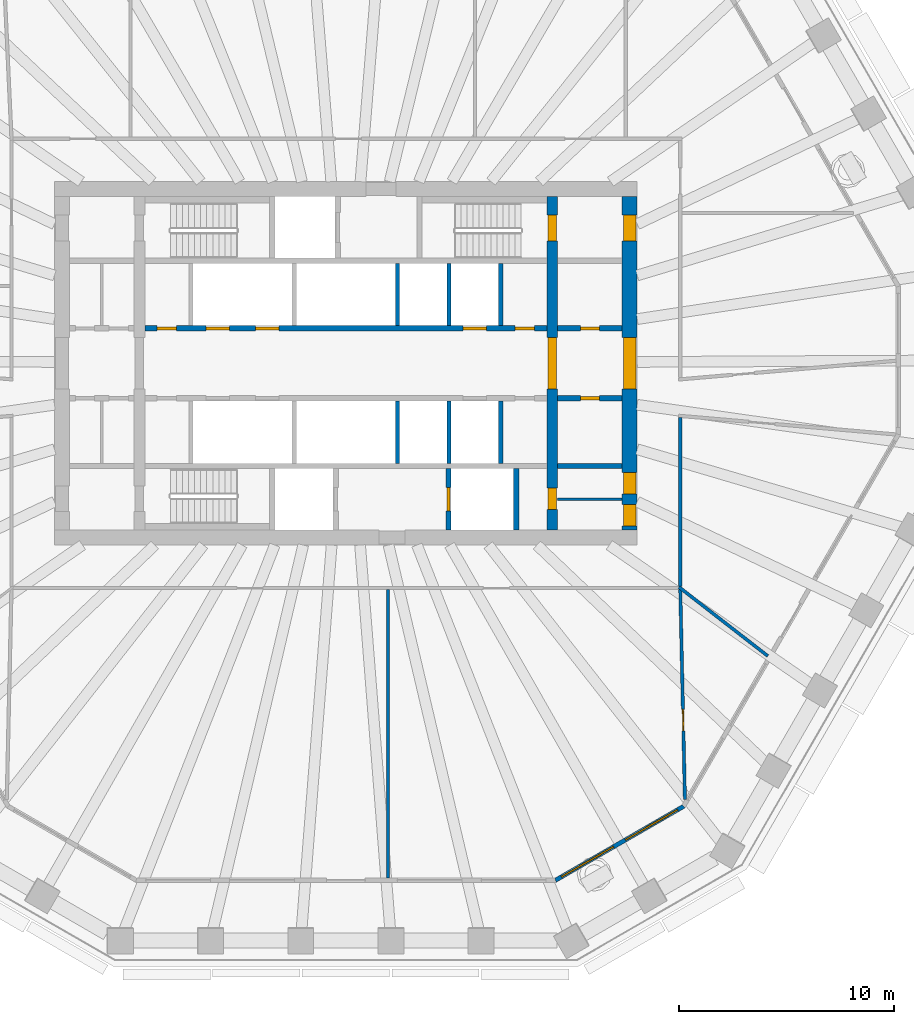
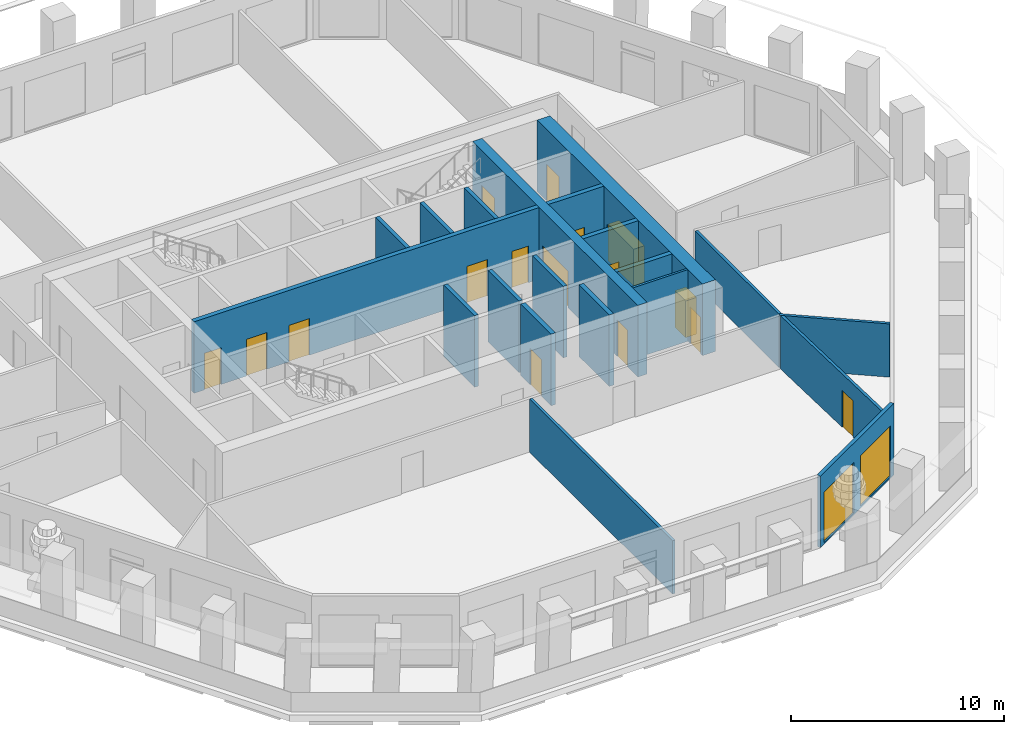
# One storey, part 5 of 12: 20 walls, 16 doors, 2 windows, 18 openings.
"""IFC4 building model written with IfcOpenShell, lengths in metres."""

from ifc_helpers import new_model, si_unit, direction, frame, frame_2d, origin, place, context, subcontext, project, spatial, polyline, rectangle, outline, extrude, material, layer, layer_set, type_object, element, fill, save


model = new_model("IFC4")

# Units and contexts
model_context = context("Model", 3, precision=1e-05, world=origin(), true_north=direction((0.0, 1.0)))
body_context = subcontext(model_context, "Body", "Model", "MODEL_VIEW")
ifc_project = project(units=[si_unit("LENGTHUNIT", "METRE"), si_unit("AREAUNIT", "SQUARE_METRE"), si_unit("VOLUMEUNIT", "CUBIC_METRE"), si_unit("PLANEANGLEUNIT", "RADIAN"), si_unit("MASSUNIT", "GRAM", prefix="KILO")], contexts=[model_context])

# Site, building, storey
site_placement = place(None, origin())
site = spatial("IfcSite", under=ifc_project, at=site_placement, CompositionType="ELEMENT")
building_placement = place(site_placement, origin())
building = spatial("IfcBuilding", under=site, at=building_placement, Name="Frailejon Research Tower", CompositionType="ELEMENT")
storey_placement = place(building_placement, frame((0.0, 0.0, 149.60009765625)))
storey = spatial("IfcBuildingStorey", under=building, at=storey_placement, Name="L32", CompositionType="ELEMENT", Elevation=149.60009765625)

# Wall
ifc_material_1 = material(Name="Plasterboard on steel studs", Category="steel")
ifc_layer_1 = layer(ifc_material_1, 0.125)
ifc_layer_set_1 = layer_set([ifc_layer_1], Name="Core partition 125")
wall_type_1 = type_object("IfcWallType", Name="Core partition 125", PredefinedType="PARTITIONING", material=ifc_layer_set_1)
wall_1_placement = place(storey_placement, frame((9.85009765625, -6.324951171875, 0.0), z_axis=(0.0, 0.0, 1.0), x_axis=(1.0, 0.0, 0.0)))
element("IfcWall", 1, at=wall_1_placement, inside=storey, type_object=wall_type_1, Name="Core partition", PredefinedType="PARTITIONING", context=body_context, shape_type="SweptSolid", body=[
    extrude(rectangle(XDim=3.0, YDim=0.125, at=frame_2d((1.5, 0.0))), origin(), (0.0, 0.0, 1.0), 4.099853515625),
])

# Wall, openings, doors
ifc_material_2 = material(Name="Concrete C60/75", Category="concrete")
ifc_layer_2 = layer(ifc_material_2, 0.5)
ifc_layer_set_2 = layer_set([ifc_layer_2], Name="Core shear wall 500 C60/75")
wall_type_2 = type_object("IfcWallType", Name="Core shear wall 500 C60/75", PredefinedType="SHEAR", material=ifc_layer_set_2)
wall_2_placement = place(storey_placement, frame((9.60009765625, -7.75, 0.0), z_axis=(0.0, 0.0, 1.0), x_axis=(0.0, 1.0, 0.0)))
wall_2 = element("IfcWall", 2, at=wall_2_placement, inside=storey, type_object=wall_type_2, Name="Core shear wall", PredefinedType="SHEAR", context=body_context, shape_type="SweptSolid", body=[
    extrude(rectangle(XDim=15.5, YDim=0.5, at=frame_2d((7.75, 0.0))), origin(), (0.0, 0.0, 1.0), 4.099853515625),
])
opening_1_placement = place(wall_2_placement, frame((6.550048828125, 0.0, 0.0)))
opening_1 = element("IfcOpeningElement", 3, at=opening_1_placement, cuts=wall_2, Name="Opening D2", PredefinedType="OPENING", context=body_context, shape_type="SweptSolid", body=[
    extrude(rectangle(XDim=2.39990234375, YDim=2.10009765625, at=frame_2d((1.199951171875, 1.050048828125))), frame((0.0, 0.260009765625, 0.0), z_axis=(0.0, -1.0, 0.0), x_axis=(1.0, 0.0, 0.0)), (0.0, 0.0, 1.0), 0.52001953125),
])
opening_2_placement = place(wall_2_placement, frame((13.449951171875, 0.0, 0.0)))
opening_2 = element("IfcOpeningElement", 4, at=opening_2_placement, cuts=wall_2, Name="Opening D1", PredefinedType="OPENING", context=body_context, shape_type="SweptSolid", body=[
    extrude(rectangle(XDim=1.199951171875, YDim=2.10009765625, at=frame_2d((0.60009765625, 1.050048828125))), frame((0.0, 0.260009765625, 0.0), z_axis=(0.0, -1.0, 0.0), x_axis=(1.0, 0.0, 0.0)), (0.0, 0.0, 1.0), 0.52001953125),
])
opening_3_placement = place(wall_2_placement, frame((0.949951171875, 0.0, 0.0)))
opening_3 = element("IfcOpeningElement", 5, at=opening_3_placement, cuts=wall_2, Name="Opening D4", PredefinedType="OPENING", context=body_context, shape_type="SweptSolid", body=[
    extrude(rectangle(XDim=1.0, YDim=2.10009765625, at=frame_2d((0.5, 1.050048828125))), frame((0.0, 0.260009765625, 0.0), z_axis=(0.0, -1.0, 0.0), x_axis=(1.0, 0.0, 0.0)), (0.0, 0.0, 1.0), 0.52001953125),
])
ifc_material_3 = material(Name="Steel", Category="steel")
door_type_1 = type_object("IfcDoorType", Name="Lobby double door", OperationType="DOUBLE_DOOR_SINGLE_SWING", PredefinedType="DOOR", material=ifc_material_3)
door_1_placement = place(opening_1_placement, origin())
door_1 = element("IfcDoor", 6, at=door_1_placement, inside=storey, type_object=door_type_1, Name="Lobby door", OperationType="DOUBLE_DOOR_SINGLE_SWING", OverallHeight=2.10009765625, OverallWidth=2.39990234375, PredefinedType="DOOR", context=body_context, shape_type="SweptSolid", body=[
    extrude(rectangle(XDim=2.39990234375, YDim=2.10009765625, at=frame_2d((1.199951171875, 1.050048828125))), frame((0.0, 0.199951171875, 0.0), z_axis=(0.0, -1.0, 0.0), x_axis=(1.0, 0.0, 0.0)), (0.0, 0.0, 1.0), 0.39990234375),
])
fill(opening_1, door_1)
ifc_material_4 = material(Name="Steel", Category="steel")
door_type_2 = type_object("IfcDoorType", Name="Service door", OperationType="SINGLE_SWING_LEFT", PredefinedType="DOOR", material=ifc_material_4)
door_2_placement = place(opening_3_placement, origin())
door_2 = element("IfcDoor", 7, at=door_2_placement, inside=storey, type_object=door_type_2, Name="Riser door", OperationType="SINGLE_SWING_LEFT", OverallHeight=2.10009765625, OverallWidth=1.0, PredefinedType="DOOR", context=body_context, shape_type="SweptSolid", body=[
    extrude(rectangle(XDim=1.0, YDim=2.10009765625, at=frame_2d((0.5, 1.050048828125))), frame((0.0, 0.199951171875, 0.0), z_axis=(0.0, -1.0, 0.0), x_axis=(1.0, 0.0, 0.0)), (0.0, 0.0, 1.0), 0.39990234375),
])
fill(opening_3, door_2)
ifc_material_5 = material(Name="Steel", Category="steel")
door_type_3 = type_object("IfcDoorType", Name="Stair door", OperationType="SINGLE_SWING_LEFT", PredefinedType="DOOR", material=ifc_material_5)
door_3_placement = place(opening_2_placement, origin())
door_3 = element("IfcDoor", 8, at=door_3_placement, inside=storey, type_object=door_type_3, Name="Stair door ST3", OperationType="SINGLE_SWING_LEFT", OverallHeight=2.10009765625, OverallWidth=1.199951171875, PredefinedType="DOOR", context=body_context, shape_type="SweptSolid", body=[
    extrude(rectangle(XDim=1.199951171875, YDim=2.10009765625, at=frame_2d((0.60009765625, 1.050048828125))), frame((0.0, 0.199951171875, 0.0), z_axis=(0.0, -1.0, 0.0), x_axis=(1.0, 0.0, 0.0)), (0.0, 0.0, 1.0), 0.39990234375),
])
fill(opening_2, door_3)

ifc_material_6 = material(Name="Concrete C60/75", Category="concrete")
ifc_layer_3 = layer(ifc_material_6, 0.699951171875)
ifc_layer_set_3 = layer_set([ifc_layer_3], Name="Core shear wall 700 C60/75")
wall_type_3 = type_object("IfcWallType", Name="Core shear wall 700 C60/75", PredefinedType="SHEAR", material=ifc_layer_set_3)
wall_3_placement = place(storey_placement, frame((13.199951171875, -7.75, 0.0), z_axis=(0.0, 0.0, 1.0), x_axis=(0.0, 1.0, 0.0)))
wall_3 = element("IfcWall", 9, at=wall_3_placement, inside=storey, type_object=wall_type_3, Name="Core shear wall", PredefinedType="SHEAR", context=body_context, shape_type="SweptSolid", body=[
    extrude(rectangle(XDim=15.5, YDim=0.699951171875, at=frame_2d((7.75, 0.0))), origin(), (0.0, 0.0, 1.0), 4.099853515625),
])
opening_4_placement = place(wall_3_placement, frame((6.550048828125, 0.0, 0.0)))
opening_4 = element("IfcOpeningElement", 10, at=opening_4_placement, cuts=wall_3, Name="Opening D2", PredefinedType="OPENING", context=body_context, shape_type="SweptSolid", body=[
    extrude(rectangle(XDim=2.39990234375, YDim=2.10009765625, at=frame_2d((1.199951171875, 1.050048828125))), frame((0.0, 0.35986328125, 0.0), z_axis=(0.0, -1.0, 0.0), x_axis=(1.0, 0.0, 0.0)), (0.0, 0.0, 1.0), 0.719970703125),
])
opening_5_placement = place(wall_3_placement, frame((13.449951171875, 0.0, 0.0)))
opening_5 = element("IfcOpeningElement", 11, at=opening_5_placement, cuts=wall_3, Name="Opening D7", PredefinedType="OPENING", context=body_context, shape_type="SweptSolid", body=[
    extrude(rectangle(XDim=1.199951171875, YDim=2.10009765625, at=frame_2d((0.60009765625, 1.050048828125))), frame((0.0, 0.35986328125, 0.0), z_axis=(0.0, -1.0, 0.0), x_axis=(1.0, 0.0, 0.0)), (0.0, 0.0, 1.0), 0.719970703125),
])
opening_6_placement = place(wall_3_placement, frame((0.181396484375, 0.0, 0.0)))
opening_6 = element("IfcOpeningElement", 12, at=opening_6_placement, cuts=wall_3, Name="Opening D4", PredefinedType="OPENING", context=body_context, shape_type="SweptSolid", body=[
    extrude(rectangle(XDim=1.0, YDim=2.10009765625, at=frame_2d((0.5, 1.050048828125))), frame((0.0, 0.35986328125, 0.0), z_axis=(0.0, -1.0, 0.0), x_axis=(1.0, 0.0, 0.0)), (0.0, 0.0, 1.0), 0.719970703125),
])
opening_7_placement = place(wall_3_placement, frame((1.668701171875, 0.0, 0.0)))
opening_7 = element("IfcOpeningElement", 13, at=opening_7_placement, cuts=wall_3, Name="Opening D4", PredefinedType="OPENING", context=body_context, shape_type="SweptSolid", body=[
    extrude(rectangle(XDim=1.0, YDim=2.10009765625, at=frame_2d((0.5, 1.050048828125))), frame((0.0, 0.35986328125, 0.0), z_axis=(0.0, -1.0, 0.0), x_axis=(1.0, 0.0, 0.0)), (0.0, 0.0, 1.0), 0.719970703125),
])
door_4_placement = place(opening_4_placement, origin())
door_4 = element("IfcDoor", 14, at=door_4_placement, inside=storey, type_object=door_type_1, Name="Lobby door", OperationType="DOUBLE_DOOR_SINGLE_SWING", OverallHeight=2.10009765625, OverallWidth=2.39990234375, PredefinedType="DOOR", context=body_context, shape_type="SweptSolid", body=[
    extrude(rectangle(XDim=2.39990234375, YDim=2.10009765625, at=frame_2d((1.199951171875, 1.050048828125))), frame((0.0, 0.300048828125, 0.0), z_axis=(0.0, -1.0, 0.0), x_axis=(1.0, 0.0, 0.0)), (0.0, 0.0, 1.0), 0.60009765625),
])
fill(opening_4, door_4)
door_5_placement = place(opening_6_placement, origin())
door_5 = element("IfcDoor", 15, at=door_5_placement, inside=storey, type_object=door_type_2, Name="Store door", OperationType="SINGLE_SWING_RIGHT", OverallHeight=2.10009765625, OverallWidth=1.0, PredefinedType="DOOR", context=body_context, shape_type="SweptSolid", body=[
    extrude(rectangle(XDim=1.0, YDim=2.10009765625, at=frame_2d((0.5, 1.050048828125))), frame((0.0, 0.300048828125, 0.0), z_axis=(0.0, -1.0, 0.0), x_axis=(1.0, 0.0, 0.0)), (0.0, 0.0, 1.0), 0.60009765625),
])
fill(opening_6, door_5)
door_6_placement = place(opening_7_placement, origin())
door_6 = element("IfcDoor", 16, at=door_6_placement, inside=storey, type_object=door_type_2, Name="Store door", OperationType="SINGLE_SWING_LEFT", OverallHeight=2.10009765625, OverallWidth=1.0, PredefinedType="DOOR", context=body_context, shape_type="SweptSolid", body=[
    extrude(rectangle(XDim=1.0, YDim=2.10009765625, at=frame_2d((0.5, 1.050048828125))), frame((0.0, 0.300048828125, 0.0), z_axis=(0.0, -1.0, 0.0), x_axis=(1.0, 0.0, 0.0)), (0.0, 0.0, 1.0), 0.60009765625),
])
fill(opening_7, door_6)
ifc_material_7 = material(Name="Steel", Category="steel")
door_type_4 = type_object("IfcDoorType", Name="Stair exit door", OperationType="SINGLE_SWING_LEFT", PredefinedType="DOOR", material=ifc_material_7)
door_7_placement = place(opening_5_placement, origin())
door_7 = element("IfcDoor", 17, at=door_7_placement, inside=storey, type_object=door_type_4, Name="Stair exit door ST3", OperationType="SINGLE_SWING_RIGHT", OverallHeight=2.10009765625, OverallWidth=1.199951171875, PredefinedType="DOOR", context=body_context, shape_type="SweptSolid", body=[
    extrude(rectangle(XDim=1.199951171875, YDim=2.10009765625, at=frame_2d((0.60009765625, 1.050048828125))), frame((0.0, 0.300048828125, 0.0), z_axis=(0.0, -1.0, 0.0), x_axis=(1.0, 0.0, 0.0)), (0.0, 0.0, 1.0), 0.60009765625),
])
fill(opening_5, door_7)

# Walls
ifc_material_8 = material(Name="Gypsum board and masonry partition", Category="masonry")
ifc_layer_4 = layer(ifc_material_8, 0.14990234375)
ifc_layer_set_4 = layer_set([ifc_layer_4], Name="Corridor wall EI 60, gypsum on steel studs 150")
wall_type_4 = type_object("IfcWallType", Name="Corridor wall EI 60, gypsum on steel studs 150", PredefinedType="PARTITIONING", material=ifc_layer_set_4)
wall_4_placement = place(storey_placement, frame((15.550048828125, -10.375, 0.0), z_axis=(0.0, 0.0, 1.0), x_axis=(0.0, 1.0, 0.0)))
element("IfcWall", 18, at=wall_4_placement, inside=storey, type_object=wall_type_4, Name="T:IW:L32:001", PredefinedType="PARTITIONING", context=body_context, shape_type="SweptSolid", body=[
    extrude(rectangle(XDim=7.856201171875, YDim=0.14990234375, at=frame_2d((3.92822265625, 0.0))), origin(), (0.0, 0.0, 1.0), 3.0498046875),
])
ifc_material_9 = material(Name="Gypsum board and masonry partition", Category="masonry")
ifc_layer_5 = layer(ifc_material_9, 0.14990234375)
ifc_layer_set_5 = layer_set([ifc_layer_5], Name="Laboratory partition, blockwork 150")
wall_type_5 = type_object("IfcWallType", Name="Laboratory partition, blockwork 150", PredefinedType="PARTITIONING", material=ifc_layer_set_5)
wall_5_placement = place(storey_placement, frame((1.955322265625, -23.938232421875, 0.0), z_axis=(0.0, 0.0, 1.0), x_axis=(0.0, 1.0, 0.0)))
element("IfcWall", 19, at=wall_5_placement, inside=storey, type_object=wall_type_5, Name="T:IW:L32:018", PredefinedType="PARTITIONING", context=body_context, shape_type="SweptSolid", body=[
    extrude(rectangle(XDim=13.413330078125, YDim=0.14990234375, at=frame_2d((6.70654296875, 0.0))), origin(), (0.0, 0.0, 1.0), 3.0498046875),
])

# Wall, opening, door
wall_6_placement = place(storey_placement, frame((15.5517578125, -10.52490234375, 0.0), z_axis=(0.0, 0.0, 1.0), x_axis=(0.022147888908, -0.999754705424, 0.0)))
wall_6 = element("IfcWall", 20, at=wall_6_placement, inside=storey, type_object=wall_type_5, Name="T:IW:L32:019", PredefinedType="PARTITIONING", context=body_context, shape_type="SweptSolid", body=[
    extrude(rectangle(XDim=9.7666015625, YDim=0.14990234375, at=frame_2d((4.88330078125, 0.0))), origin(), (0.0, 0.0, 1.0), 3.0498046875),
])
opening_8_placement = place(wall_6_placement, frame((5.56689453125, 0.0, 0.0)))
opening_8 = element("IfcOpeningElement", 21, at=opening_8_placement, cuts=wall_6, Name="Opening D1719", PredefinedType="OPENING", context=body_context, shape_type="SweptSolid", body=[
    extrude(rectangle(XDim=1.0, YDim=2.10009765625, at=frame_2d((0.5, 1.050048828125))), frame((0.0, 0.0849609375, 0.0), z_axis=(0.0, -1.0, 0.0), x_axis=(1.0, 0.0, 0.0)), (0.0, 0.0, 1.0), 0.169921875),
])
ifc_material_10 = material(Name="Timber door leaf", Category="wood")
door_type_5 = type_object("IfcDoorType", Name="Door laboratory, timber, vision panel 1000", OperationType="NOTDEFINED", PredefinedType="DOOR", material=ifc_material_10)
door_8_placement = place(opening_8_placement, origin())
door_8 = element("IfcDoor", 22, at=door_8_placement, inside=storey, type_object=door_type_5, Name="D1719", OperationType="SINGLE_SWING_RIGHT", OverallHeight=2.10009765625, OverallWidth=1.0, PredefinedType="DOOR", context=body_context, shape_type="SweptSolid", body=[
    extrude(rectangle(XDim=1.0, YDim=2.10009765625, at=frame_2d((0.5, 1.050048828125))), frame((0.0, 0.02490234375, 0.0), z_axis=(0.0, -1.0, 0.0), x_axis=(1.0, 0.0, 0.0)), (0.0, 0.0, 1.0), 0.050048828125),
])
fill(opening_8, door_8)

# Walls
wall_7_placement = place(storey_placement, frame((15.49072265625, -10.404052734375, 0.0), z_axis=(0.0, 0.0, 1.0), x_axis=(0.790035268908, -0.613061394871, 0.0)))
element("IfcWall", 23, at=wall_7_placement, inside=storey, type_object=wall_type_5, Name="T:IW:L32:020", PredefinedType="PARTITIONING", context=body_context, shape_type="SweptSolid", body=[
    extrude(rectangle(XDim=5.231201171875, YDim=0.14990234375, at=frame_2d((2.61572265625, 0.0))), origin(), (0.0, 0.0, 1.0), 3.0498046875),
])
ifc_material_11 = material(Name="Concrete C60/75", Category="concrete")
ifc_layer_6 = layer(ifc_material_11, 0.199951171875)
ifc_layer_set_6 = layer_set([ifc_layer_6], Name="Shaft wall 200 C60/75")
wall_type_6 = type_object("IfcWallType", Name="Shaft wall 200 C60/75", PredefinedType="SOLIDWALL", material=ifc_layer_set_6)
for number, where, z_axis, x_axis, name in (
    (24, (2.39990234375, 1.75, 0.0), (0.0, 0.0, 1.0), (0.0, 1.0, 0.0), "Shaft wall"),
    (25, (4.800048828125, 1.75, 0.0), (0.0, 0.0, 1.0), (0.0, 1.0, 0.0), "Shaft wall"),
    (26, (7.199951171875, 1.75, 0.0), (0.0, 0.0, 1.0), (0.0, 1.0, 0.0), "Shaft wall"),
    (27, (2.39990234375, -4.64990234375, 0.0), (0.0, 0.0, 1.0), (0.0, 1.0, 0.0), "Shaft wall"),
    (28, (4.800048828125, -4.64990234375, 0.0), (0.0, 0.0, 1.0), (0.0, 1.0, 0.0), "Shaft wall"),
    (29, (7.199951171875, -4.64990234375, 0.0), (0.0, 0.0, 1.0), (0.0, 1.0, 0.0), "Shaft wall"),
):
    element("IfcWall", number, at=place(storey_placement, frame(where, z_axis=z_axis, x_axis=x_axis)), inside=storey, type_object=wall_type_6, Name=name, PredefinedType="SOLIDWALL", context=body_context, shape_type="SweptSolid", body=[
        extrude(rectangle(XDim=2.89990234375, YDim=0.199951171875, at=frame_2d((1.449951171875, 0.0))), origin(), (0.0, 0.0, 1.0), 4.099853515625),
    ])

# Wall, openings, doors
ifc_material_12 = material(Name="Concrete C60/75", Category="concrete")
ifc_layer_7 = layer(ifc_material_12, 0.25)
ifc_layer_set_7 = layer_set([ifc_layer_7], Name="Shaft wall 250 C60/75")
wall_type_7 = type_object("IfcWallType", Name="Shaft wall 250 C60/75", PredefinedType="SOLIDWALL", material=ifc_layer_set_7)
wall_8_placement = place(storey_placement, frame((-9.35009765625, 1.625, 0.0), z_axis=(0.0, 0.0, 1.0), x_axis=(1.0, 0.0, 0.0)))
wall_8 = element("IfcWall", 30, at=wall_8_placement, inside=storey, type_object=wall_type_7, Name="Shaft wall", PredefinedType="SOLIDWALL", context=body_context, shape_type="SweptSolid", body=[
    extrude(rectangle(XDim=18.7001953125, YDim=0.25, at=frame_2d((9.35009765625, 0.0))), origin(), (0.0, 0.0, 1.0), 4.099853515625),
])
opening_9_placement = place(wall_8_placement, frame((2.85009765625, 0.0, 0.0)))
opening_9 = element("IfcOpeningElement", 31, at=opening_9_placement, cuts=wall_8, Name="Opening LD", PredefinedType="OPENING", context=body_context, shape_type="SweptSolid", body=[
    extrude(rectangle(XDim=1.10009765625, YDim=2.10009765625, at=frame_2d((0.550048828125, 1.050048828125))), frame((0.0, 0.135009765625, 0.0), z_axis=(0.0, -1.0, 0.0), x_axis=(1.0, 0.0, 0.0)), (0.0, 0.0, 1.0), 0.27001953125),
])
opening_10_placement = place(wall_8_placement, frame((5.14990234375, 0.0, 0.0)))
opening_10 = element("IfcOpeningElement", 32, at=opening_10_placement, cuts=wall_8, Name="Opening LD", PredefinedType="OPENING", context=body_context, shape_type="SweptSolid", body=[
    extrude(rectangle(XDim=1.10009765625, YDim=2.10009765625, at=frame_2d((0.550048828125, 1.050048828125))), frame((0.0, 0.135009765625, 0.0), z_axis=(0.0, -1.0, 0.0), x_axis=(1.0, 0.0, 0.0)), (0.0, 0.0, 1.0), 0.27001953125),
])
opening_11_placement = place(wall_8_placement, frame((14.800048828125, 0.0, 0.0)))
opening_11 = element("IfcOpeningElement", 33, at=opening_11_placement, cuts=wall_8, Name="Opening LD", PredefinedType="OPENING", context=body_context, shape_type="SweptSolid", body=[
    extrude(rectangle(XDim=1.10009765625, YDim=2.10009765625, at=frame_2d((0.550048828125, 1.050048828125))), frame((0.0, 0.135009765625, 0.0), z_axis=(0.0, -1.0, 0.0), x_axis=(1.0, 0.0, 0.0)), (0.0, 0.0, 1.0), 0.27001953125),
])
opening_12_placement = place(wall_8_placement, frame((0.574951171875, 0.0, 0.0)))
opening_12 = element("IfcOpeningElement", 34, at=opening_12_placement, cuts=wall_8, Name="Opening D8", PredefinedType="OPENING", context=body_context, shape_type="SweptSolid", body=[
    extrude(rectangle(XDim=0.89990234375, YDim=2.10009765625, at=frame_2d((0.449951171875, 1.050048828125))), frame((0.0, 0.135009765625, 0.0), z_axis=(0.0, -1.0, 0.0), x_axis=(1.0, 0.0, 0.0)), (0.0, 0.0, 1.0), 0.27001953125),
])
opening_13_placement = place(wall_8_placement, frame((17.22509765625, 0.0, 0.0)))
opening_13 = element("IfcOpeningElement", 35, at=opening_13_placement, cuts=wall_8, Name="Opening D8", PredefinedType="OPENING", context=body_context, shape_type="SweptSolid", body=[
    extrude(rectangle(XDim=0.89990234375, YDim=2.10009765625, at=frame_2d((0.449951171875, 1.050048828125))), frame((0.0, 0.135009765625, 0.0), z_axis=(0.0, -1.0, 0.0), x_axis=(1.0, 0.0, 0.0)), (0.0, 0.0, 1.0), 0.27001953125),
])
ifc_material_13 = material(Name="Steel", Category="steel")
door_type_6 = type_object("IfcDoorType", Name="Core room door", OperationType="SINGLE_SWING_LEFT", PredefinedType="DOOR", material=ifc_material_13)
door_9_placement = place(opening_12_placement, origin())
door_9 = element("IfcDoor", 36, at=door_9_placement, inside=storey, type_object=door_type_6, Name="Room door", OperationType="SINGLE_SWING_RIGHT", OverallHeight=2.10009765625, OverallWidth=0.89990234375, PredefinedType="DOOR", context=body_context, shape_type="SweptSolid", body=[
    extrude(rectangle(XDim=0.89990234375, YDim=2.10009765625, at=frame_2d((0.449951171875, 1.050048828125))), frame((0.0, 0.074951171875, 0.0), z_axis=(0.0, -1.0, 0.0), x_axis=(1.0, 0.0, 0.0)), (0.0, 0.0, 1.0), 0.14990234375),
])
fill(opening_12, door_9)
door_10_placement = place(opening_13_placement, origin())
door_10 = element("IfcDoor", 37, at=door_10_placement, inside=storey, type_object=door_type_6, Name="Room door", OperationType="SINGLE_SWING_LEFT", OverallHeight=2.10009765625, OverallWidth=0.89990234375, PredefinedType="DOOR", context=body_context, shape_type="SweptSolid", body=[
    extrude(rectangle(XDim=0.89990234375, YDim=2.10009765625, at=frame_2d((0.449951171875, 1.050048828125))), frame((0.0, 0.074951171875, 0.0), z_axis=(0.0, -1.0, 0.0), x_axis=(1.0, 0.0, 0.0)), (0.0, 0.0, 1.0), 0.14990234375),
])
fill(opening_13, door_10)
ifc_material_14 = material(Name="Steel", Category="steel")
door_type_7 = type_object("IfcDoorType", Name="Lift landing door", OperationType="DOUBLE_DOOR_SLIDING", PredefinedType="DOOR", material=ifc_material_14)
door_11_placement = place(opening_9_placement, origin())
door_11 = element("IfcDoor", 38, at=door_11_placement, inside=storey, type_object=door_type_7, Name="Lift landing door", OperationType="DOUBLE_DOOR_SLIDING", OverallHeight=2.10009765625, OverallWidth=1.10009765625, PredefinedType="DOOR", context=body_context, shape_type="SweptSolid", body=[
    extrude(rectangle(XDim=1.10009765625, YDim=2.10009765625, at=frame_2d((0.550048828125, 1.050048828125))), frame((0.0, 0.074951171875, 0.0), z_axis=(0.0, -1.0, 0.0), x_axis=(1.0, 0.0, 0.0)), (0.0, 0.0, 1.0), 0.14990234375),
])
fill(opening_9, door_11)
door_12_placement = place(opening_10_placement, origin())
door_12 = element("IfcDoor", 39, at=door_12_placement, inside=storey, type_object=door_type_7, Name="Lift landing door", OperationType="DOUBLE_DOOR_SLIDING", OverallHeight=2.10009765625, OverallWidth=1.10009765625, PredefinedType="DOOR", context=body_context, shape_type="SweptSolid", body=[
    extrude(rectangle(XDim=1.10009765625, YDim=2.10009765625, at=frame_2d((0.550048828125, 1.050048828125))), frame((0.0, 0.074951171875, 0.0), z_axis=(0.0, -1.0, 0.0), x_axis=(1.0, 0.0, 0.0)), (0.0, 0.0, 1.0), 0.14990234375),
])
fill(opening_10, door_12)
door_13_placement = place(opening_11_placement, origin())
door_13 = element("IfcDoor", 40, at=door_13_placement, inside=storey, type_object=door_type_7, Name="Lift landing door", OperationType="DOUBLE_DOOR_SLIDING", OverallHeight=2.10009765625, OverallWidth=1.10009765625, PredefinedType="DOOR", context=body_context, shape_type="SweptSolid", body=[
    extrude(rectangle(XDim=1.10009765625, YDim=2.10009765625, at=frame_2d((0.550048828125, 1.050048828125))), frame((0.0, 0.074951171875, 0.0), z_axis=(0.0, -1.0, 0.0), x_axis=(1.0, 0.0, 0.0)), (0.0, 0.0, 1.0), 0.14990234375),
])
fill(opening_11, door_13)

# Wall, opening, door
wall_9_placement = place(storey_placement, frame((9.85009765625, 1.625, 0.0), z_axis=(0.0, 0.0, 1.0), x_axis=(1.0, 0.0, 0.0)))
wall_9 = element("IfcWall", 41, at=wall_9_placement, inside=storey, type_object=wall_type_7, Name="Shaft wall", PredefinedType="SOLIDWALL", context=body_context, shape_type="SweptSolid", body=[
    extrude(rectangle(XDim=3.0, YDim=0.25, at=frame_2d((1.5, 0.0))), origin(), (0.0, 0.0, 1.0), 4.099853515625),
])
opening_14_placement = place(wall_9_placement, frame((1.050048828125, 0.0, 0.0)))
opening_14 = element("IfcOpeningElement", 42, at=opening_14_placement, cuts=wall_9, Name="Opening D8", PredefinedType="OPENING", context=body_context, shape_type="SweptSolid", body=[
    extrude(rectangle(XDim=0.89990234375, YDim=2.10009765625, at=frame_2d((0.449951171875, 1.050048828125))), frame((0.0, 0.135009765625, 0.0), z_axis=(0.0, -1.0, 0.0), x_axis=(1.0, 0.0, 0.0)), (0.0, 0.0, 1.0), 0.27001953125),
])
door_14_placement = place(opening_14_placement, origin())
door_14 = element("IfcDoor", 43, at=door_14_placement, inside=storey, type_object=door_type_6, Name="Room door", OperationType="SINGLE_SWING_RIGHT", OverallHeight=2.10009765625, OverallWidth=0.89990234375, PredefinedType="DOOR", context=body_context, shape_type="SweptSolid", body=[
    extrude(rectangle(XDim=0.89990234375, YDim=2.10009765625, at=frame_2d((0.449951171875, 1.050048828125))), frame((0.0, 0.074951171875, 0.0), z_axis=(0.0, -1.0, 0.0), x_axis=(1.0, 0.0, 0.0)), (0.0, 0.0, 1.0), 0.14990234375),
])
fill(opening_14, door_14)

wall_10_placement = place(storey_placement, frame((9.85009765625, -1.625, 0.0), z_axis=(0.0, 0.0, 1.0), x_axis=(1.0, 0.0, 0.0)))
wall_10 = element("IfcWall", 44, at=wall_10_placement, inside=storey, type_object=wall_type_7, Name="Shaft wall", PredefinedType="SOLIDWALL", context=body_context, shape_type="SweptSolid", body=[
    extrude(rectangle(XDim=3.0, YDim=0.25, at=frame_2d((1.5, 0.0))), origin(), (0.0, 0.0, 1.0), 4.099853515625),
])
opening_15_placement = place(wall_10_placement, frame((1.050048828125, 0.0, 0.0)))
opening_15 = element("IfcOpeningElement", 45, at=opening_15_placement, cuts=wall_10, Name="Opening D8", PredefinedType="OPENING", context=body_context, shape_type="SweptSolid", body=[
    extrude(rectangle(XDim=0.89990234375, YDim=2.10009765625, at=frame_2d((0.449951171875, 1.050048828125))), frame((0.0, 0.135009765625, 0.0), z_axis=(0.0, -1.0, 0.0), x_axis=(1.0, 0.0, 0.0)), (0.0, 0.0, 1.0), 0.27001953125),
])
door_15_placement = place(opening_15_placement, origin())
door_15 = element("IfcDoor", 46, at=door_15_placement, inside=storey, type_object=door_type_6, Name="Room door", OperationType="SINGLE_SWING_LEFT", OverallHeight=2.10009765625, OverallWidth=0.89990234375, PredefinedType="DOOR", context=body_context, shape_type="SweptSolid", body=[
    extrude(rectangle(XDim=0.89990234375, YDim=2.10009765625, at=frame_2d((0.449951171875, 1.050048828125))), frame((0.0, 0.074951171875, 0.0), z_axis=(0.0, -1.0, 0.0), x_axis=(1.0, 0.0, 0.0)), (0.0, 0.0, 1.0), 0.14990234375),
])
fill(opening_15, door_15)

# Wall
wall_11_placement = place(storey_placement, frame((9.85009765625, -4.77490234375, 0.0), z_axis=(0.0, 0.0, 1.0), x_axis=(1.0, 0.0, 0.0)))
element("IfcWall", 47, at=wall_11_placement, inside=storey, type_object=wall_type_7, Name="Shaft wall", PredefinedType="SOLIDWALL", context=body_context, shape_type="SweptSolid", body=[
    extrude(rectangle(XDim=3.0, YDim=0.25, at=frame_2d((1.5, 0.0))), origin(), (0.0, 0.0, 1.0), 4.099853515625),
])

# Wall, opening, door
wall_12_placement = place(storey_placement, frame((4.77490234375, -7.75, 0.0), z_axis=(0.0, 0.0, 1.0), x_axis=(0.0, 1.0, 0.0)))
wall_12 = element("IfcWall", 48, at=wall_12_placement, inside=storey, type_object=wall_type_7, Name="Shaft wall", PredefinedType="SOLIDWALL", context=body_context, shape_type="SweptSolid", body=[
    extrude(rectangle(XDim=2.85009765625, YDim=0.25, at=frame_2d((1.425048828125, 0.0))), origin(), (0.0, 0.0, 1.0), 4.099853515625),
])
opening_16_placement = place(wall_12_placement, frame((0.875, 0.0, 0.0)))
opening_16 = element("IfcOpeningElement", 49, at=opening_16_placement, cuts=wall_12, Name="Opening LD", PredefinedType="OPENING", context=body_context, shape_type="SweptSolid", body=[
    extrude(rectangle(XDim=1.10009765625, YDim=2.10009765625, at=frame_2d((0.550048828125, 1.050048828125))), frame((0.0, 0.135009765625, 0.0), z_axis=(0.0, -1.0, 0.0), x_axis=(1.0, 0.0, 0.0)), (0.0, 0.0, 1.0), 0.27001953125),
])
door_16_placement = place(opening_16_placement, origin())
door_16 = element("IfcDoor", 50, at=door_16_placement, inside=storey, type_object=door_type_7, Name="Lift landing door", OperationType="DOUBLE_DOOR_SLIDING", OverallHeight=2.10009765625, OverallWidth=1.10009765625, PredefinedType="DOOR", context=body_context, shape_type="SweptSolid", body=[
    extrude(rectangle(XDim=1.10009765625, YDim=2.10009765625, at=frame_2d((0.550048828125, 1.050048828125))), frame((0.0, 0.074951171875, 0.0), z_axis=(0.0, -1.0, 0.0), x_axis=(1.0, 0.0, 0.0)), (0.0, 0.0, 1.0), 0.14990234375),
])
fill(opening_16, door_16)

# Wall
wall_13_placement = place(storey_placement, frame((7.925048828125, -7.75, 0.0), z_axis=(0.0, 0.0, 1.0), x_axis=(0.0, 1.0, 0.0)))
element("IfcWall", 51, at=wall_13_placement, inside=storey, type_object=wall_type_7, Name="Shaft wall", PredefinedType="SOLIDWALL", context=body_context, shape_type="SweptSolid", body=[
    extrude(rectangle(XDim=2.85009765625, YDim=0.25, at=frame_2d((1.425048828125, 0.0))), origin(), (0.0, 0.0, 1.0), 4.099853515625),
])

# Wall, openings, windows
ifc_material_15 = material(Name="Concrete C40/50 precast window wall panel", Category="concrete")
ifc_layer_8 = layer(ifc_material_15, 0.199951171875)
ifc_layer_set_8 = layer_set([ifc_layer_8], Name="Window wall 200")
wall_type_8 = type_object("IfcWallType", Name="Window wall 200", PredefinedType="SOLIDWALL", material=ifc_layer_set_8)
wall_14_placement = place(storey_placement, frame((9.749755859375, -24.038330078125, 0.0), z_axis=(0.0, 0.0, 1.0), x_axis=(0.866029458321, 0.49999297727, 0.0)))
wall_14 = element("IfcWall", 52, at=wall_14_placement, inside=storey, type_object=wall_type_8, Name="Exterior wall L32", PredefinedType="SOLIDWALL", context=body_context, shape_type="SweptSolid", body=[
    extrude(outline(polyline([(-0.02685546875, -0.10009765625), (1.1279296875, -0.10009765625), (2.282470703125, -0.10009765625), (3.437255859375, -0.10009765625), (4.592041015625, -0.10009765625), (5.74658203125, -0.10009765625), (6.9013671875, -0.10009765625), (6.84765625, 0.10009765625), (5.7109375, 0.10009765625), (4.573974609375, 0.10009765625), (3.437255859375, 0.10009765625), (2.300537109375, 0.10009765625), (1.16357421875, 0.10009765625), (0.02685546875, 0.10009765625), (-0.02685546875, -0.10009765625)])), origin(), (0.0, 0.0, 1.0), 4.099853515625),
])
opening_17_placement = place(wall_14_placement, frame((0.318603515625, 0.0, 0.10009765625)))
opening_17 = element("IfcOpeningElement", 53, at=opening_17_placement, cuts=wall_14, Name="Opening W3", PredefinedType="OPENING", context=body_context, shape_type="SweptSolid", body=[
    extrude(rectangle(XDim=2.800048828125, YDim=2.89990234375, at=frame_2d((1.39990234375, 1.449951171875))), frame((0.0, 0.10986328125, 0.0), z_axis=(0.0, -1.0, 0.0), x_axis=(1.0, 0.0, 0.0)), (0.0, 0.0, 1.0), 0.219970703125),
])
opening_18_placement = place(wall_14_placement, frame((3.756103515625, 0.0, 0.10009765625)))
opening_18 = element("IfcOpeningElement", 54, at=opening_18_placement, cuts=wall_14, Name="Opening W3", PredefinedType="OPENING", context=body_context, shape_type="SweptSolid", body=[
    extrude(rectangle(XDim=2.800048828125, YDim=2.89990234375, at=frame_2d((1.39990234375, 1.449951171875))), frame((0.0, 0.10986328125, 0.0), z_axis=(0.0, -1.0, 0.0), x_axis=(1.0, 0.0, 0.0)), (0.0, 0.0, 1.0), 0.219970703125),
])
ifc_material_16 = material(Name="Aluminium framed double glazing", Category="aluminium")
window_type = type_object("IfcWindowType", Name="Window 2800x2900", PartitioningType="SINGLE_PANEL", PredefinedType="WINDOW", material=ifc_material_16)
window_1_placement = place(opening_17_placement, origin())
window_1 = element("IfcWindow", 55, at=window_1_placement, inside=storey, type_object=window_type, Name="Window L32", OverallHeight=2.89990234375, OverallWidth=2.800048828125, PartitioningType="SINGLE_PANEL", PredefinedType="WINDOW", context=body_context, shape_type="SweptSolid", body=[
    extrude(rectangle(XDim=2.800048828125, YDim=2.89990234375, at=frame_2d((1.39990234375, 1.449951171875))), frame((0.0, 0.030029296875, 0.0), z_axis=(0.0, -1.0, 0.0), x_axis=(1.0, 0.0, 0.0)), (0.0, 0.0, 1.0), 0.06005859375),
])
fill(opening_17, window_1)
window_2_placement = place(opening_18_placement, origin())
window_2 = element("IfcWindow", 56, at=window_2_placement, inside=storey, type_object=window_type, Name="Window L32", OverallHeight=2.89990234375, OverallWidth=2.800048828125, PartitioningType="SINGLE_PANEL", PredefinedType="WINDOW", context=body_context, shape_type="SweptSolid", body=[
    extrude(rectangle(XDim=2.800048828125, YDim=2.89990234375, at=frame_2d((1.39990234375, 1.449951171875))), frame((0.0, 0.030029296875, 0.0), z_axis=(0.0, -1.0, 0.0), x_axis=(1.0, 0.0, 0.0)), (0.0, 0.0, 1.0), 0.06005859375),
])
fill(opening_18, window_2)

save(model, "model.ifc")
